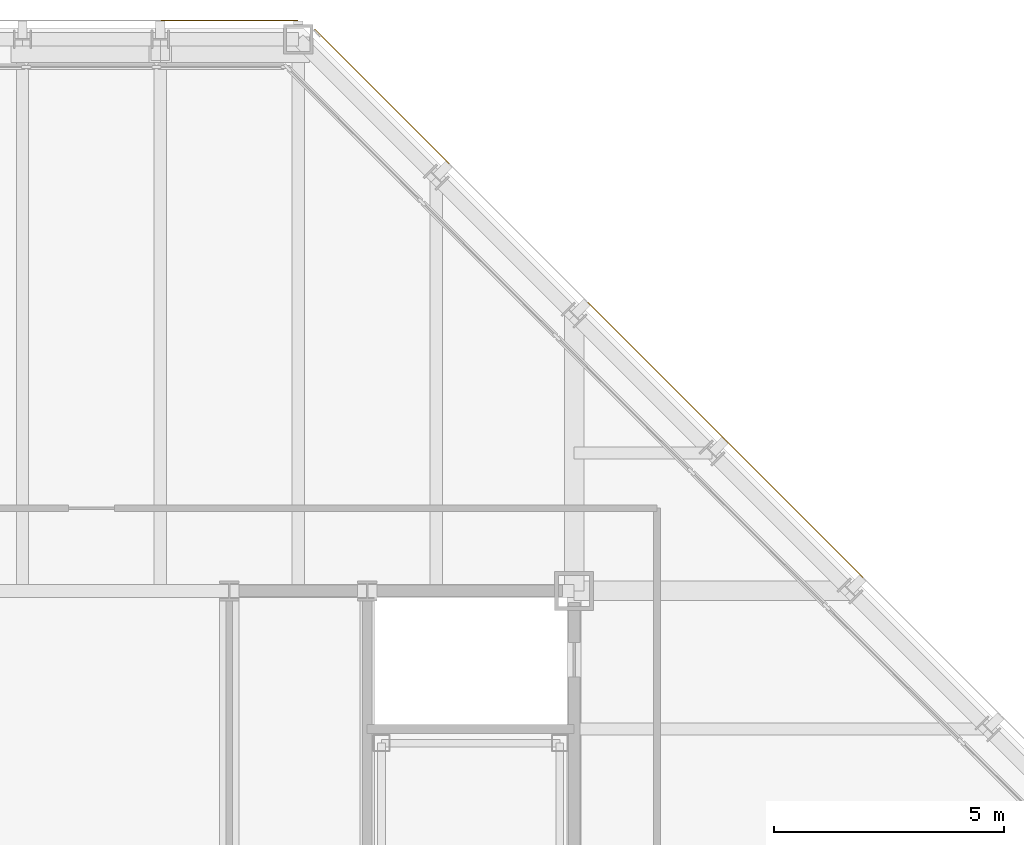
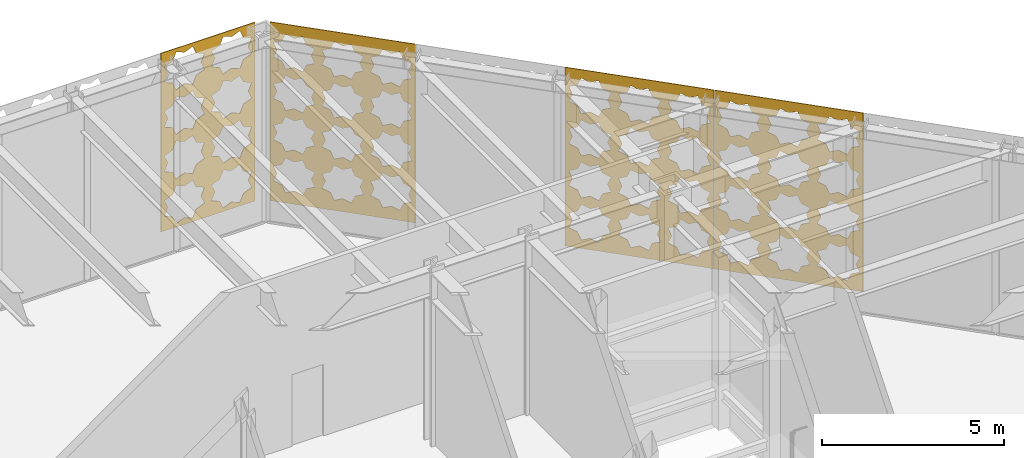
# One storey, part 27 of 28: 4 coverings.
"""IFC4 building model written with IfcOpenShell, lengths in metres."""

from ifc_helpers import new_model, si_unit, direction, frame, origin, place, context, subcontext, project, spatial, polyline, outline, extrude, material, layer, layer_set, type_object, element, save


model = new_model("IFC4")

# Units and contexts
model_context = context("Model", 3, precision=1e-05, world=origin(), true_north=direction((0.0, 1.0)))
body_context = subcontext(model_context, "Body", "Model", "MODEL_VIEW")
ifc_project = project(units=[si_unit("LENGTHUNIT", "METRE"), si_unit("AREAUNIT", "SQUARE_METRE"), si_unit("VOLUMEUNIT", "CUBIC_METRE"), si_unit("PLANEANGLEUNIT", "RADIAN"), si_unit("MASSUNIT", "GRAM", prefix="KILO")], contexts=[model_context])

# Site, building, storey
site_placement = place(None, origin())
site = spatial("IfcSite", under=ifc_project, at=site_placement, CompositionType="ELEMENT")
building_placement = place(site_placement, origin())
building = spatial("IfcBuilding", under=site, at=building_placement, Name="Chuquiago Exchange Tower", CompositionType="ELEMENT")
storey_placement = place(building_placement, frame((0.0, 0.0, 300.0)))
storey = spatial("IfcBuildingStorey", under=building, at=storey_placement, Name="L67", CompositionType="ELEMENT", Elevation=300.0)

# Coverings
ifc_material_1 = material(Name="Anodised aluminium, pale", Category="aluminium")
ifc_layer_1 = layer(ifc_material_1, 0.02001953125)
ifc_layer_set_1 = layer_set([ifc_layer_1], Name="GC3 girih cladding panel 20")
covering_type_1 = type_object("IfcCoveringType", Name="GC3 girih cladding panel 20", PredefinedType="CLADDING", material=ifc_layer_set_1)
covering_1_placement = place(storey_placement, frame((26.9951171875, 45.39990234375, 0.0048828125), z_axis=(0.0, 0.0, 1.0), x_axis=(-1.0, 0.0, 0.0)))
element("IfcCovering", 1, at=covering_1_placement, inside=storey, type_object=covering_type_1, Name="Girih cladding panel L67 N 1", PredefinedType="CLADDING", context=body_context, shape_type="SweptSolid", body=[
    extrude(outline(polyline([(0.0, 0.0), (2.989990234375, 0.0), (2.989990234375, 5.990234375), (0.0, 5.990234375), (0.0, 0.0)]), holes=[polyline([(1.27392578125, 0.752685546875), (1.3828125, 1.015869140625), (1.11962890625, 1.124755859375), (1.0107421875, 1.387939453125), (0.74755859375, 1.279052734375), (0.484375, 1.387939453125), (0.375244140625, 1.124755859375), (0.112060546875, 1.015869140625), (0.22119140625, 0.752685546875), (0.112060546875, 0.489501953125), (0.375244140625, 0.38037109375), (0.484375, 0.1171875), (0.74755859375, 0.226318359375), (1.0107421875, 0.1171875), (1.11962890625, 0.38037109375), (1.3828125, 0.489501953125), (1.27392578125, 0.752685546875)]), polyline([(2.768798828125, 0.752685546875), (2.8779296875, 1.015869140625), (2.61474609375, 1.124755859375), (2.505615234375, 1.387939453125), (2.242431640625, 1.279052734375), (1.979248046875, 1.387939453125), (1.870361328125, 1.124755859375), (1.607177734375, 1.015869140625), (1.716064453125, 0.752685546875), (1.607177734375, 0.489501953125), (1.870361328125, 0.38037109375), (1.979248046875, 0.1171875), (2.242431640625, 0.226318359375), (2.505615234375, 0.1171875), (2.61474609375, 0.38037109375), (2.8779296875, 0.489501953125), (2.768798828125, 0.752685546875)]), polyline([(1.27392578125, 2.24755859375), (1.3828125, 2.5107421875), (1.11962890625, 2.619873046875), (1.0107421875, 2.883056640625), (0.74755859375, 2.77392578125), (0.484375, 2.883056640625), (0.375244140625, 2.619873046875), (0.112060546875, 2.5107421875), (0.22119140625, 2.24755859375), (0.112060546875, 1.984375), (0.375244140625, 1.87548828125), (0.484375, 1.6123046875), (0.74755859375, 1.72119140625), (1.0107421875, 1.6123046875), (1.11962890625, 1.87548828125), (1.3828125, 1.984375), (1.27392578125, 2.24755859375)]), polyline([(2.768798828125, 2.24755859375), (2.8779296875, 2.5107421875), (2.61474609375, 2.619873046875), (2.505615234375, 2.883056640625), (2.242431640625, 2.77392578125), (1.979248046875, 2.883056640625), (1.870361328125, 2.619873046875), (1.607177734375, 2.5107421875), (1.716064453125, 2.24755859375), (1.607177734375, 1.984375), (1.870361328125, 1.87548828125), (1.979248046875, 1.6123046875), (2.242431640625, 1.72119140625), (2.505615234375, 1.6123046875), (2.61474609375, 1.87548828125), (2.8779296875, 1.984375), (2.768798828125, 2.24755859375)]), polyline([(1.27392578125, 3.74267578125), (1.3828125, 4.005859375), (1.11962890625, 4.11474609375), (1.0107421875, 4.3779296875), (0.74755859375, 4.26904296875), (0.484375, 4.3779296875), (0.375244140625, 4.11474609375), (0.112060546875, 4.005859375), (0.22119140625, 3.74267578125), (0.112060546875, 3.4794921875), (0.375244140625, 3.370361328125), (0.484375, 3.107177734375), (0.74755859375, 3.21630859375), (1.0107421875, 3.107177734375), (1.11962890625, 3.370361328125), (1.3828125, 3.4794921875), (1.27392578125, 3.74267578125)]), polyline([(2.768798828125, 3.74267578125), (2.8779296875, 4.005859375), (2.61474609375, 4.11474609375), (2.505615234375, 4.3779296875), (2.242431640625, 4.26904296875), (1.979248046875, 4.3779296875), (1.870361328125, 4.11474609375), (1.607177734375, 4.005859375), (1.716064453125, 3.74267578125), (1.607177734375, 3.4794921875), (1.870361328125, 3.370361328125), (1.979248046875, 3.107177734375), (2.242431640625, 3.21630859375), (2.505615234375, 3.107177734375), (2.61474609375, 3.370361328125), (2.8779296875, 3.4794921875), (2.768798828125, 3.74267578125)]), polyline([(1.27392578125, 5.237548828125), (1.3828125, 5.500732421875), (1.11962890625, 5.60986328125), (1.0107421875, 5.873046875), (0.74755859375, 5.763916015625), (0.484375, 5.873046875), (0.375244140625, 5.60986328125), (0.112060546875, 5.500732421875), (0.22119140625, 5.237548828125), (0.112060546875, 4.974365234375), (0.375244140625, 4.865478515625), (0.484375, 4.602294921875), (0.74755859375, 4.711181640625), (1.0107421875, 4.602294921875), (1.11962890625, 4.865478515625), (1.3828125, 4.974365234375), (1.27392578125, 5.237548828125)]), polyline([(2.768798828125, 5.237548828125), (2.8779296875, 5.500732421875), (2.61474609375, 5.60986328125), (2.505615234375, 5.873046875), (2.242431640625, 5.763916015625), (1.979248046875, 5.873046875), (1.870361328125, 5.60986328125), (1.607177734375, 5.500732421875), (1.716064453125, 5.237548828125), (1.607177734375, 4.974365234375), (1.870361328125, 4.865478515625), (1.979248046875, 4.602294921875), (2.242431640625, 4.711181640625), (2.505615234375, 4.602294921875), (2.61474609375, 4.865478515625), (2.8779296875, 4.974365234375), (2.768798828125, 5.237548828125)])]), frame((0.0, 0.0, 0.0), z_axis=(0.0, -1.0, 0.0), x_axis=(1.0, 0.0, 0.0)), (0.0, 0.0, 1.0), 0.02001953125),
])
ifc_material_2 = material(Name="Anodised aluminium, pale", Category="aluminium")
ifc_layer_2 = layer(ifc_material_2, 0.02001953125)
ifc_layer_set_2 = layer_set([ifc_layer_2], Name="GC4 girih cladding panel 20")
covering_type_2 = type_object("IfcCoveringType", Name="GC4 girih cladding panel 20", PredefinedType="CLADDING", material=ifc_layer_set_2)
covering_2_placement = place(storey_placement, frame((39.279296875, 33.286376953125, 0.0048828125), z_axis=(0.0, 0.0, 1.0), x_axis=(-0.707106781187, 0.707106781187, 0.0)))
element("IfcCovering", 2, at=covering_2_placement, inside=storey, type_object=covering_type_2, Name="Girih cladding panel L67 NE 3", PredefinedType="CLADDING", context=body_context, shape_type="SweptSolid", body=[
    extrude(outline(polyline([(0.0, 0.0), (4.232666015625, 0.0), (4.232666015625, 5.990234375), (0.0, 5.990234375), (0.0, 0.0)]), holes=[polyline([(1.2021484375, 0.878662109375), (1.304931640625, 1.127197265625), (1.056640625, 1.22998046875), (0.953857421875, 1.478271484375), (0.70556640625, 1.37548828125), (0.45703125, 1.478271484375), (0.354248046875, 1.22998046875), (0.10595703125, 1.127197265625), (0.208740234375, 0.878662109375), (0.10595703125, 0.63037109375), (0.354248046875, 0.527587890625), (0.45703125, 0.279296875), (0.705322265625, 0.382080078125), (0.953857421875, 0.279296875), (1.056640625, 0.527587890625), (1.304931640625, 0.63037109375), (1.2021484375, 0.878662109375)]), polyline([(2.613037109375, 0.878662109375), (2.7158203125, 1.127197265625), (2.467529296875, 1.22998046875), (2.36474609375, 1.478271484375), (2.116455078125, 1.37548828125), (1.867919921875, 1.478271484375), (1.76513671875, 1.22998046875), (1.516845703125, 1.127197265625), (1.61962890625, 0.878662109375), (1.516845703125, 0.63037109375), (1.76513671875, 0.527587890625), (1.867919921875, 0.279296875), (2.116455078125, 0.382080078125), (2.36474609375, 0.279296875), (2.467529296875, 0.527587890625), (2.7158203125, 0.63037109375), (2.613037109375, 0.878662109375)]), polyline([(4.02392578125, 0.878662109375), (4.126708984375, 1.127197265625), (3.87841796875, 1.22998046875), (3.775634765625, 1.478271484375), (3.527099609375, 1.37548828125), (3.27880859375, 1.478271484375), (3.176025390625, 1.22998046875), (2.927734375, 1.127197265625), (3.030517578125, 0.878662109375), (2.927734375, 0.63037109375), (3.176025390625, 0.527587890625), (3.27880859375, 0.279296875), (3.527099609375, 0.382080078125), (3.775634765625, 0.279296875), (3.87841796875, 0.527587890625), (4.126708984375, 0.63037109375), (4.02392578125, 0.878662109375)]), polyline([(1.2021484375, 2.289794921875), (1.304931640625, 2.5380859375), (1.056640625, 2.640869140625), (0.953857421875, 2.88916015625), (0.70556640625, 2.786376953125), (0.45703125, 2.88916015625), (0.354248046875, 2.640869140625), (0.10595703125, 2.5380859375), (0.208740234375, 2.289794921875), (0.10595703125, 2.041259765625), (0.354248046875, 1.9384765625), (0.45703125, 1.690185546875), (0.705322265625, 1.79296875), (0.953857421875, 1.690185546875), (1.056640625, 1.9384765625), (1.304931640625, 2.041259765625), (1.2021484375, 2.289794921875)]), polyline([(2.613037109375, 2.289794921875), (2.7158203125, 2.5380859375), (2.467529296875, 2.640869140625), (2.36474609375, 2.88916015625), (2.116455078125, 2.786376953125), (1.867919921875, 2.88916015625), (1.76513671875, 2.640869140625), (1.516845703125, 2.5380859375), (1.61962890625, 2.289794921875), (1.516845703125, 2.041259765625), (1.76513671875, 1.9384765625), (1.867919921875, 1.690185546875), (2.116455078125, 1.79296875), (2.36474609375, 1.690185546875), (2.467529296875, 1.9384765625), (2.7158203125, 2.041259765625), (2.613037109375, 2.289794921875)]), polyline([(4.02392578125, 2.289794921875), (4.126708984375, 2.5380859375), (3.87841796875, 2.640869140625), (3.775634765625, 2.88916015625), (3.527099609375, 2.786376953125), (3.27880859375, 2.88916015625), (3.176025390625, 2.640869140625), (2.927734375, 2.5380859375), (3.030517578125, 2.289794921875), (2.927734375, 2.041259765625), (3.176025390625, 1.9384765625), (3.27880859375, 1.690185546875), (3.527099609375, 1.79296875), (3.775634765625, 1.690185546875), (3.87841796875, 1.9384765625), (4.126708984375, 2.041259765625), (4.02392578125, 2.289794921875)]), polyline([(1.2021484375, 3.700439453125), (1.304931640625, 3.948974609375), (1.056640625, 4.0517578125), (0.953857421875, 4.300048828125), (0.70556640625, 4.197265625), (0.45703125, 4.300048828125), (0.354248046875, 4.0517578125), (0.10595703125, 3.948974609375), (0.208740234375, 3.700439453125), (0.10595703125, 3.4521484375), (0.354248046875, 3.349365234375), (0.45703125, 3.10107421875), (0.705322265625, 3.203857421875), (0.953857421875, 3.10107421875), (1.056640625, 3.349365234375), (1.304931640625, 3.4521484375), (1.2021484375, 3.700439453125)]), polyline([(2.613037109375, 3.700439453125), (2.7158203125, 3.948974609375), (2.467529296875, 4.0517578125), (2.36474609375, 4.300048828125), (2.116455078125, 4.197265625), (1.867919921875, 4.300048828125), (1.76513671875, 4.0517578125), (1.516845703125, 3.948974609375), (1.61962890625, 3.700439453125), (1.516845703125, 3.4521484375), (1.76513671875, 3.349365234375), (1.867919921875, 3.10107421875), (2.116455078125, 3.203857421875), (2.36474609375, 3.10107421875), (2.467529296875, 3.349365234375), (2.7158203125, 3.4521484375), (2.613037109375, 3.700439453125)]), polyline([(4.02392578125, 3.700439453125), (4.126708984375, 3.948974609375), (3.87841796875, 4.0517578125), (3.775634765625, 4.300048828125), (3.527099609375, 4.197265625), (3.27880859375, 4.300048828125), (3.176025390625, 4.0517578125), (2.927734375, 3.948974609375), (3.030517578125, 3.700439453125), (2.927734375, 3.4521484375), (3.176025390625, 3.349365234375), (3.27880859375, 3.10107421875), (3.527099609375, 3.203857421875), (3.775634765625, 3.10107421875), (3.87841796875, 3.349365234375), (4.126708984375, 3.4521484375), (4.02392578125, 3.700439453125)]), polyline([(1.2021484375, 5.111572265625), (1.304931640625, 5.35986328125), (1.056640625, 5.462646484375), (0.953857421875, 5.7109375), (0.70556640625, 5.608154296875), (0.45703125, 5.7109375), (0.354248046875, 5.462646484375), (0.10595703125, 5.35986328125), (0.208740234375, 5.111572265625), (0.10595703125, 4.863037109375), (0.354248046875, 4.76025390625), (0.45703125, 4.511962890625), (0.705322265625, 4.61474609375), (0.953857421875, 4.511962890625), (1.056640625, 4.76025390625), (1.304931640625, 4.863037109375), (1.2021484375, 5.111572265625)]), polyline([(2.613037109375, 5.111572265625), (2.7158203125, 5.35986328125), (2.467529296875, 5.462646484375), (2.36474609375, 5.7109375), (2.116455078125, 5.608154296875), (1.867919921875, 5.7109375), (1.76513671875, 5.462646484375), (1.516845703125, 5.35986328125), (1.61962890625, 5.111572265625), (1.516845703125, 4.863037109375), (1.76513671875, 4.76025390625), (1.867919921875, 4.511962890625), (2.116455078125, 4.61474609375), (2.36474609375, 4.511962890625), (2.467529296875, 4.76025390625), (2.7158203125, 4.863037109375), (2.613037109375, 5.111572265625)]), polyline([(4.02392578125, 5.111572265625), (4.126708984375, 5.35986328125), (3.87841796875, 5.462646484375), (3.775634765625, 5.7109375), (3.527099609375, 5.608154296875), (3.27880859375, 5.7109375), (3.176025390625, 5.462646484375), (2.927734375, 5.35986328125), (3.030517578125, 5.111572265625), (2.927734375, 4.863037109375), (3.176025390625, 4.76025390625), (3.27880859375, 4.511962890625), (3.527099609375, 4.61474609375), (3.775634765625, 4.511962890625), (3.87841796875, 4.76025390625), (4.126708984375, 4.863037109375), (4.02392578125, 5.111572265625)])]), frame((0.0, 0.0, 0.0), z_axis=(0.0, -1.0, 0.0), x_axis=(1.0, 0.0, 0.0)), (0.0, 0.0, 1.0), 0.02001953125),
])
covering_3_placement = place(storey_placement, frame((36.279296875, 36.286376953125, 0.0048828125), z_axis=(0.0, 0.0, 1.0), x_axis=(-0.707106781187, 0.707106781187, 0.0)))
element("IfcCovering", 3, at=covering_3_placement, inside=storey, type_object=covering_type_2, Name="Girih cladding panel L67 NE 4", PredefinedType="CLADDING", context=body_context, shape_type="SweptSolid", body=[
    extrude(outline(polyline([(0.0, 0.0), (4.232666015625, 0.0), (4.232666015625, 5.990234375), (0.0, 5.990234375), (0.0, 0.0)]), holes=[polyline([(1.2021484375, 0.878662109375), (1.304931640625, 1.127197265625), (1.056640625, 1.22998046875), (0.953857421875, 1.478271484375), (0.70556640625, 1.37548828125), (0.45703125, 1.478271484375), (0.354248046875, 1.22998046875), (0.10595703125, 1.127197265625), (0.208740234375, 0.878662109375), (0.10595703125, 0.63037109375), (0.354248046875, 0.527587890625), (0.45703125, 0.279296875), (0.705322265625, 0.382080078125), (0.953857421875, 0.279296875), (1.056640625, 0.527587890625), (1.304931640625, 0.63037109375), (1.2021484375, 0.878662109375)]), polyline([(2.613037109375, 0.878662109375), (2.7158203125, 1.127197265625), (2.467529296875, 1.22998046875), (2.36474609375, 1.478271484375), (2.116455078125, 1.37548828125), (1.867919921875, 1.478271484375), (1.76513671875, 1.22998046875), (1.516845703125, 1.127197265625), (1.61962890625, 0.878662109375), (1.516845703125, 0.63037109375), (1.76513671875, 0.527587890625), (1.867919921875, 0.279296875), (2.116455078125, 0.382080078125), (2.36474609375, 0.279296875), (2.467529296875, 0.527587890625), (2.7158203125, 0.63037109375), (2.613037109375, 0.878662109375)]), polyline([(4.02392578125, 0.878662109375), (4.126708984375, 1.127197265625), (3.87841796875, 1.22998046875), (3.775634765625, 1.478271484375), (3.527099609375, 1.37548828125), (3.27880859375, 1.478271484375), (3.176025390625, 1.22998046875), (2.927734375, 1.127197265625), (3.030517578125, 0.878662109375), (2.927734375, 0.63037109375), (3.176025390625, 0.527587890625), (3.27880859375, 0.279296875), (3.527099609375, 0.382080078125), (3.775634765625, 0.279296875), (3.87841796875, 0.527587890625), (4.126708984375, 0.63037109375), (4.02392578125, 0.878662109375)]), polyline([(1.2021484375, 2.289794921875), (1.304931640625, 2.5380859375), (1.056640625, 2.640869140625), (0.953857421875, 2.88916015625), (0.70556640625, 2.786376953125), (0.45703125, 2.88916015625), (0.354248046875, 2.640869140625), (0.10595703125, 2.5380859375), (0.208740234375, 2.289794921875), (0.10595703125, 2.041259765625), (0.354248046875, 1.9384765625), (0.45703125, 1.690185546875), (0.705322265625, 1.79296875), (0.953857421875, 1.690185546875), (1.056640625, 1.9384765625), (1.304931640625, 2.041259765625), (1.2021484375, 2.289794921875)]), polyline([(2.613037109375, 2.289794921875), (2.7158203125, 2.5380859375), (2.467529296875, 2.640869140625), (2.36474609375, 2.88916015625), (2.116455078125, 2.786376953125), (1.867919921875, 2.88916015625), (1.76513671875, 2.640869140625), (1.516845703125, 2.5380859375), (1.61962890625, 2.289794921875), (1.516845703125, 2.041259765625), (1.76513671875, 1.9384765625), (1.867919921875, 1.690185546875), (2.116455078125, 1.79296875), (2.36474609375, 1.690185546875), (2.467529296875, 1.9384765625), (2.7158203125, 2.041259765625), (2.613037109375, 2.289794921875)]), polyline([(4.02392578125, 2.289794921875), (4.126708984375, 2.5380859375), (3.87841796875, 2.640869140625), (3.775634765625, 2.88916015625), (3.527099609375, 2.786376953125), (3.27880859375, 2.88916015625), (3.176025390625, 2.640869140625), (2.927734375, 2.5380859375), (3.030517578125, 2.289794921875), (2.927734375, 2.041259765625), (3.176025390625, 1.9384765625), (3.27880859375, 1.690185546875), (3.527099609375, 1.79296875), (3.775634765625, 1.690185546875), (3.87841796875, 1.9384765625), (4.126708984375, 2.041259765625), (4.02392578125, 2.289794921875)]), polyline([(1.2021484375, 3.700439453125), (1.304931640625, 3.948974609375), (1.056640625, 4.0517578125), (0.953857421875, 4.300048828125), (0.70556640625, 4.197265625), (0.45703125, 4.300048828125), (0.354248046875, 4.0517578125), (0.10595703125, 3.948974609375), (0.208740234375, 3.700439453125), (0.10595703125, 3.4521484375), (0.354248046875, 3.349365234375), (0.45703125, 3.10107421875), (0.705322265625, 3.203857421875), (0.953857421875, 3.10107421875), (1.056640625, 3.349365234375), (1.304931640625, 3.4521484375), (1.2021484375, 3.700439453125)]), polyline([(2.613037109375, 3.700439453125), (2.7158203125, 3.948974609375), (2.467529296875, 4.0517578125), (2.36474609375, 4.300048828125), (2.116455078125, 4.197265625), (1.867919921875, 4.300048828125), (1.76513671875, 4.0517578125), (1.516845703125, 3.948974609375), (1.61962890625, 3.700439453125), (1.516845703125, 3.4521484375), (1.76513671875, 3.349365234375), (1.867919921875, 3.10107421875), (2.116455078125, 3.203857421875), (2.36474609375, 3.10107421875), (2.467529296875, 3.349365234375), (2.7158203125, 3.4521484375), (2.613037109375, 3.700439453125)]), polyline([(4.02392578125, 3.700439453125), (4.126708984375, 3.948974609375), (3.87841796875, 4.0517578125), (3.775634765625, 4.300048828125), (3.527099609375, 4.197265625), (3.27880859375, 4.300048828125), (3.176025390625, 4.0517578125), (2.927734375, 3.948974609375), (3.030517578125, 3.700439453125), (2.927734375, 3.4521484375), (3.176025390625, 3.349365234375), (3.27880859375, 3.10107421875), (3.527099609375, 3.203857421875), (3.775634765625, 3.10107421875), (3.87841796875, 3.349365234375), (4.126708984375, 3.4521484375), (4.02392578125, 3.700439453125)]), polyline([(1.2021484375, 5.111572265625), (1.304931640625, 5.35986328125), (1.056640625, 5.462646484375), (0.953857421875, 5.7109375), (0.70556640625, 5.608154296875), (0.45703125, 5.7109375), (0.354248046875, 5.462646484375), (0.10595703125, 5.35986328125), (0.208740234375, 5.111572265625), (0.10595703125, 4.863037109375), (0.354248046875, 4.76025390625), (0.45703125, 4.511962890625), (0.705322265625, 4.61474609375), (0.953857421875, 4.511962890625), (1.056640625, 4.76025390625), (1.304931640625, 4.863037109375), (1.2021484375, 5.111572265625)]), polyline([(2.613037109375, 5.111572265625), (2.7158203125, 5.35986328125), (2.467529296875, 5.462646484375), (2.36474609375, 5.7109375), (2.116455078125, 5.608154296875), (1.867919921875, 5.7109375), (1.76513671875, 5.462646484375), (1.516845703125, 5.35986328125), (1.61962890625, 5.111572265625), (1.516845703125, 4.863037109375), (1.76513671875, 4.76025390625), (1.867919921875, 4.511962890625), (2.116455078125, 4.61474609375), (2.36474609375, 4.511962890625), (2.467529296875, 4.76025390625), (2.7158203125, 4.863037109375), (2.613037109375, 5.111572265625)]), polyline([(4.02392578125, 5.111572265625), (4.126708984375, 5.35986328125), (3.87841796875, 5.462646484375), (3.775634765625, 5.7109375), (3.527099609375, 5.608154296875), (3.27880859375, 5.7109375), (3.176025390625, 5.462646484375), (2.927734375, 5.35986328125), (3.030517578125, 5.111572265625), (2.927734375, 4.863037109375), (3.176025390625, 4.76025390625), (3.27880859375, 4.511962890625), (3.527099609375, 4.61474609375), (3.775634765625, 4.511962890625), (3.87841796875, 4.76025390625), (4.126708984375, 4.863037109375), (4.02392578125, 5.111572265625)])]), frame((0.0, 0.0, 0.0), z_axis=(0.0, -1.0, 0.0), x_axis=(1.0, 0.0, 0.0)), (0.0, 0.0, 1.0), 0.02001953125),
])
ifc_material_3 = material(Name="Anodised aluminium, pale", Category="aluminium")
ifc_layer_3 = layer(ifc_material_3, 0.02001953125)
ifc_layer_set_3 = layer_set([ifc_layer_3], Name="GC7 girih cladding panel 20")
covering_type_3 = type_object("IfcCoveringType", Name="GC7 girih cladding panel 20", PredefinedType="CLADDING", material=ifc_layer_set_3)
covering_4_placement = place(storey_placement, frame((30.279296875, 42.286376953125, 0.0048828125), z_axis=(0.0, 0.0, 1.0), x_axis=(-0.707106781187, 0.707106781187, 0.0)))
element("IfcCovering", 4, at=covering_4_placement, inside=storey, type_object=covering_type_3, Name="Girih cladding panel L67 NE 6", PredefinedType="CLADDING", context=body_context, shape_type="SweptSolid", body=[
    extrude(outline(polyline([(0.0, 0.0), (4.142578125, 0.0), (4.142578125, 5.990234375), (0.0, 5.990234375), (0.0, 0.0)]), holes=[polyline([(1.176513671875, 0.923828125), (1.27734375, 1.166748046875), (1.0341796875, 1.267578125), (0.93359375, 1.510498046875), (0.6904296875, 1.409912109375), (0.447509765625, 1.510498046875), (0.3466796875, 1.267578125), (0.103515625, 1.166748046875), (0.204345703125, 0.923828125), (0.103515625, 0.6806640625), (0.3466796875, 0.580078125), (0.447509765625, 0.3369140625), (0.6904296875, 0.4375), (0.93359375, 0.3369140625), (1.0341796875, 0.580078125), (1.27734375, 0.6806640625), (1.176513671875, 0.923828125)]), polyline([(2.5576171875, 0.923828125), (2.658203125, 1.166748046875), (2.4150390625, 1.267578125), (2.314453125, 1.510498046875), (2.0712890625, 1.409912109375), (1.828369140625, 1.510498046875), (1.7275390625, 1.267578125), (1.484619140625, 1.166748046875), (1.585205078125, 0.923828125), (1.484619140625, 0.6806640625), (1.7275390625, 0.580078125), (1.828369140625, 0.3369140625), (2.0712890625, 0.4375), (2.314453125, 0.3369140625), (2.4150390625, 0.580078125), (2.658203125, 0.6806640625), (2.5576171875, 0.923828125)]), polyline([(3.9384765625, 0.923828125), (4.0390625, 1.166748046875), (3.7958984375, 1.267578125), (3.6953125, 1.510498046875), (3.452392578125, 1.409912109375), (3.209228515625, 1.510498046875), (3.1083984375, 1.267578125), (2.865478515625, 1.166748046875), (2.966064453125, 0.923828125), (2.865478515625, 0.6806640625), (3.1083984375, 0.580078125), (3.209228515625, 0.3369140625), (3.452392578125, 0.4375), (3.6953125, 0.3369140625), (3.7958984375, 0.580078125), (4.0390625, 0.6806640625), (3.9384765625, 0.923828125)]), polyline([(1.176513671875, 2.3046875), (1.27734375, 2.547607421875), (1.0341796875, 2.6484375), (0.93359375, 2.8916015625), (0.6904296875, 2.790771484375), (0.447509765625, 2.8916015625), (0.3466796875, 2.6484375), (0.103515625, 2.547607421875), (0.204345703125, 2.3046875), (0.103515625, 2.0615234375), (0.3466796875, 1.9609375), (0.447509765625, 1.7177734375), (0.6904296875, 1.818603515625), (0.93359375, 1.7177734375), (1.0341796875, 1.9609375), (1.27734375, 2.0615234375), (1.176513671875, 2.3046875)]), polyline([(2.5576171875, 2.3046875), (2.658203125, 2.547607421875), (2.4150390625, 2.6484375), (2.314453125, 2.8916015625), (2.0712890625, 2.790771484375), (1.828369140625, 2.8916015625), (1.7275390625, 2.6484375), (1.484619140625, 2.547607421875), (1.585205078125, 2.3046875), (1.484619140625, 2.0615234375), (1.7275390625, 1.9609375), (1.828369140625, 1.7177734375), (2.0712890625, 1.818603515625), (2.314453125, 1.7177734375), (2.4150390625, 1.9609375), (2.658203125, 2.0615234375), (2.5576171875, 2.3046875)]), polyline([(3.9384765625, 2.3046875), (4.0390625, 2.547607421875), (3.7958984375, 2.6484375), (3.6953125, 2.8916015625), (3.452392578125, 2.790771484375), (3.209228515625, 2.8916015625), (3.1083984375, 2.6484375), (2.865478515625, 2.547607421875), (2.966064453125, 2.3046875), (2.865478515625, 2.0615234375), (3.1083984375, 1.9609375), (3.209228515625, 1.7177734375), (3.452392578125, 1.818603515625), (3.6953125, 1.7177734375), (3.7958984375, 1.9609375), (4.0390625, 2.0615234375), (3.9384765625, 2.3046875)]), polyline([(1.176513671875, 3.685546875), (1.27734375, 3.9287109375), (1.0341796875, 4.029296875), (0.93359375, 4.2724609375), (0.6904296875, 4.171630859375), (0.447509765625, 4.2724609375), (0.3466796875, 4.029296875), (0.103515625, 3.9287109375), (0.204345703125, 3.685546875), (0.103515625, 3.442626953125), (0.3466796875, 3.341796875), (0.447509765625, 3.0986328125), (0.6904296875, 3.199462890625), (0.93359375, 3.0986328125), (1.0341796875, 3.341796875), (1.27734375, 3.442626953125), (1.176513671875, 3.685546875)]), polyline([(2.5576171875, 3.685546875), (2.658203125, 3.9287109375), (2.4150390625, 4.029296875), (2.314453125, 4.2724609375), (2.0712890625, 4.171630859375), (1.828369140625, 4.2724609375), (1.7275390625, 4.029296875), (1.484619140625, 3.9287109375), (1.585205078125, 3.685546875), (1.484619140625, 3.442626953125), (1.7275390625, 3.341796875), (1.828369140625, 3.0986328125), (2.0712890625, 3.199462890625), (2.314453125, 3.0986328125), (2.4150390625, 3.341796875), (2.658203125, 3.442626953125), (2.5576171875, 3.685546875)]), polyline([(3.9384765625, 3.685546875), (4.0390625, 3.9287109375), (3.7958984375, 4.029296875), (3.6953125, 4.2724609375), (3.452392578125, 4.171630859375), (3.209228515625, 4.2724609375), (3.1083984375, 4.029296875), (2.865478515625, 3.9287109375), (2.966064453125, 3.685546875), (2.865478515625, 3.442626953125), (3.1083984375, 3.341796875), (3.209228515625, 3.0986328125), (3.452392578125, 3.199462890625), (3.6953125, 3.0986328125), (3.7958984375, 3.341796875), (4.0390625, 3.442626953125), (3.9384765625, 3.685546875)]), polyline([(1.176513671875, 5.06640625), (1.27734375, 5.3095703125), (1.0341796875, 5.41015625), (0.93359375, 5.6533203125), (0.6904296875, 5.552734375), (0.447509765625, 5.6533203125), (0.3466796875, 5.41015625), (0.103515625, 5.3095703125), (0.204345703125, 5.06640625), (0.103515625, 4.823486328125), (0.3466796875, 4.72265625), (0.447509765625, 4.479736328125), (0.6904296875, 4.580322265625), (0.93359375, 4.479736328125), (1.0341796875, 4.72265625), (1.27734375, 4.823486328125), (1.176513671875, 5.06640625)]), polyline([(2.5576171875, 5.06640625), (2.658203125, 5.3095703125), (2.4150390625, 5.41015625), (2.314453125, 5.6533203125), (2.0712890625, 5.552734375), (1.828369140625, 5.6533203125), (1.7275390625, 5.41015625), (1.484619140625, 5.3095703125), (1.585205078125, 5.06640625), (1.484619140625, 4.823486328125), (1.7275390625, 4.72265625), (1.828369140625, 4.479736328125), (2.0712890625, 4.580322265625), (2.314453125, 4.479736328125), (2.4150390625, 4.72265625), (2.658203125, 4.823486328125), (2.5576171875, 5.06640625)]), polyline([(3.9384765625, 5.06640625), (4.0390625, 5.3095703125), (3.7958984375, 5.41015625), (3.6953125, 5.6533203125), (3.452392578125, 5.552734375), (3.209228515625, 5.6533203125), (3.1083984375, 5.41015625), (2.865478515625, 5.3095703125), (2.966064453125, 5.06640625), (2.865478515625, 4.823486328125), (3.1083984375, 4.72265625), (3.209228515625, 4.479736328125), (3.452392578125, 4.580322265625), (3.6953125, 4.479736328125), (3.7958984375, 4.72265625), (4.0390625, 4.823486328125), (3.9384765625, 5.06640625)])]), frame((0.0, 0.0, 0.0), z_axis=(0.0, -1.0, 0.0), x_axis=(1.0, 0.0, 0.0)), (0.0, 0.0, 1.0), 0.02001953125),
])

save(model, "model.ifc")
